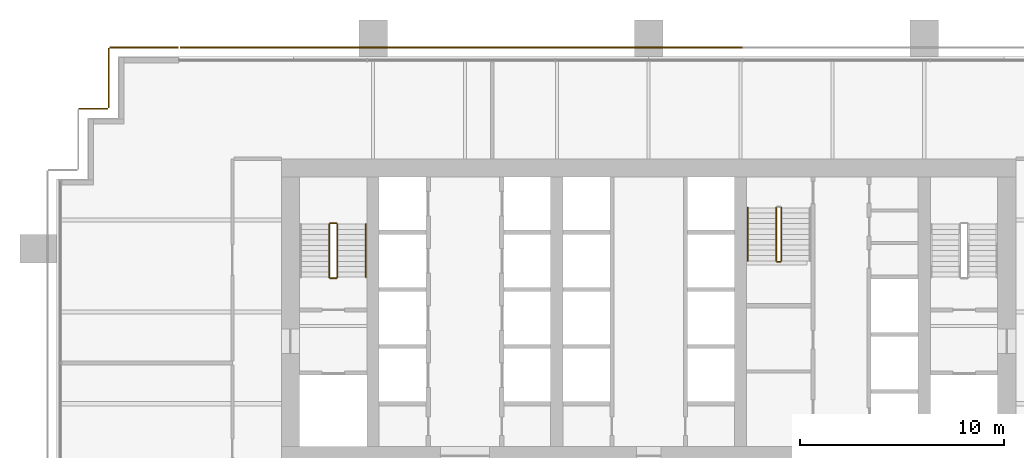
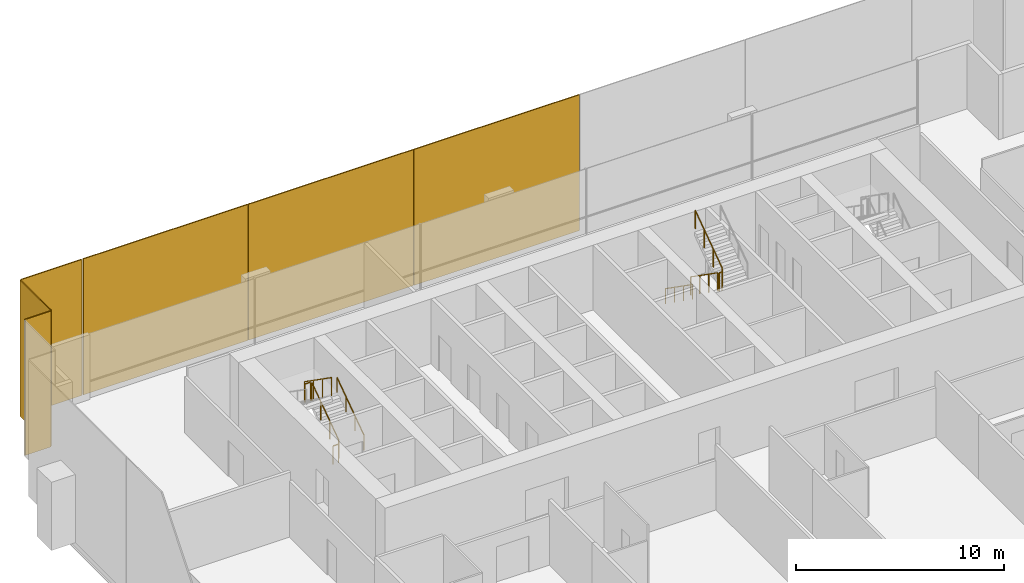
# One storey, part 15 of 16: 9 railings, 6 coverings.
"""IFC4 building model written with IfcOpenShell, lengths in metres."""

from ifc_helpers import new_model, si_unit, direction, frame, origin, origin_2d, place, context, subcontext, project, spatial, rectangle, extrude, material, layer, layer_set, type_object, element, save


model = new_model("IFC4")

# Units and contexts
model_context = context("Model", 3, precision=1e-05, world=origin(), true_north=direction((0.0, 1.0)))
body_context = subcontext(model_context, "Body", "Model", "MODEL_VIEW")
ifc_project = project(units=[si_unit("LENGTHUNIT", "METRE"), si_unit("AREAUNIT", "SQUARE_METRE"), si_unit("VOLUMEUNIT", "CUBIC_METRE"), si_unit("PLANEANGLEUNIT", "RADIAN"), si_unit("MASSUNIT", "GRAM", prefix="KILO")], contexts=[model_context])

# Site, building, storey
site_placement = place(None, origin())
site = spatial("IfcSite", under=ifc_project, at=site_placement, CompositionType="ELEMENT")
building_placement = place(site_placement, origin())
building = spatial("IfcBuilding", under=site, at=building_placement, Name="Rattan Terrace Tower", CompositionType="ELEMENT")
storey_placement = place(building_placement, frame((0.0, 0.0, 150.10009765625)))
storey = spatial("IfcBuildingStorey", under=building, at=storey_placement, Name="L34", CompositionType="ELEMENT", Elevation=150.10009765625)

# Railings
ifc_material_1 = material(Name="Powder-coated steel guard", Category="steel")
railing_type_1 = type_object("IfcRailingType", Name="Core stair guard", PredefinedType="GUARDRAIL", material=ifc_material_1)
railing_1_placement = place(storey_placement, frame((-15.25, 1.699951171875, 0.181640625)))
element("IfcRailing", 1, at=railing_1_placement, inside=storey, type_object=railing_type_1, Name="L34 S1 stair guard 1", PredefinedType="GUARDRAIL", context=body_context, shape_type="SweptSolid", body=[
    extrude(rectangle(XDim=0.048095703125, YDim=0.048095703125, at=origin_2d()), frame((0.0, 0.0, 1.076171875), z_axis=(0.0, 0.819484887739, 0.573100792852), x_axis=(-1.0, 0.0, 0.0)), (0.0, 0.0, 1.0), 3.1728515625),
    extrude(rectangle(XDim=0.0419921875, YDim=0.0419921875, at=origin_2d()), origin(), (0.0, 0.0, 1.0), 1.052001953125),
    extrude(rectangle(XDim=0.0419921875, YDim=0.0419921875, at=origin_2d()), frame((0.0, 0.86669921875, 0.606201171875)), (0.0, 0.0, 1.0), 1.052001953125),
    extrude(rectangle(XDim=0.0419921875, YDim=0.0419921875, at=origin_2d()), frame((0.0, 1.7333984375, 1.212158203125)), (0.0, 0.0, 1.0), 1.052001953125),
    extrude(rectangle(XDim=0.0419921875, YDim=0.0419921875, at=origin_2d()), frame((0.0, 2.60009765625, 1.818359375)), (0.0, 0.0, 1.0), 1.052001953125),
])
railing_2_placement = place(storey_placement, frame((-15.300048828125, 4.35009765625, 2.0)))
element("IfcRailing", 2, at=railing_2_placement, inside=storey, type_object=railing_type_1, Name="L34 S1 stair guard 2", PredefinedType="GUARDRAIL", context=body_context, shape_type="SweptSolid", body=[
    extrude(rectangle(XDim=0.048095703125, YDim=0.048095703125, at=origin_2d()), frame((0.0, 0.0, 1.076171875), z_axis=(-1.0, 0.0, 0.0), x_axis=(0.0, -1.0, 0.0)), (0.0, 0.0, 1.0), 0.300048828125),
    extrude(rectangle(XDim=0.0419921875, YDim=0.0419921875, at=origin_2d()), origin(), (0.0, 0.0, 1.0), 1.052001953125),
    extrude(rectangle(XDim=0.0419921875, YDim=0.0419921875, at=origin_2d()), frame((-0.300048828125, 0.0, 0.0)), (0.0, 0.0, 1.0), 1.052001953125),
])
railing_3_placement = place(storey_placement, frame((-15.64990234375, 4.300048828125, 2.181640625)))
element("IfcRailing", 3, at=railing_3_placement, inside=storey, type_object=railing_type_1, Name="L34 S1 stair guard 3", PredefinedType="GUARDRAIL", context=body_context, shape_type="SweptSolid", body=[
    extrude(rectangle(XDim=0.048095703125, YDim=0.048095703125, at=origin_2d()), frame((0.0, 0.0, 1.076171875), z_axis=(0.0, -0.819484887739, 0.573100792852), x_axis=(1.0, 0.0, 0.0)), (0.0, 0.0, 1.0), 3.1728515625),
    extrude(rectangle(XDim=0.0419921875, YDim=0.0419921875, at=origin_2d()), origin(), (0.0, 0.0, 1.0), 1.052001953125),
    extrude(rectangle(XDim=0.0419921875, YDim=0.0419921875, at=origin_2d()), frame((0.0, -0.86669921875, 0.606201171875)), (0.0, 0.0, 1.0), 1.052001953125),
    extrude(rectangle(XDim=0.0419921875, YDim=0.0419921875, at=origin_2d()), frame((0.0, -1.7333984375, 1.212158203125)), (0.0, 0.0, 1.0), 1.052001953125),
    extrude(rectangle(XDim=0.0419921875, YDim=0.0419921875, at=origin_2d()), frame((0.0, -2.60009765625, 1.818359375)), (0.0, 0.0, 1.0), 1.052001953125),
])
railing_4_placement = place(storey_placement, frame((-15.300048828125, 1.64990234375, 0.0)))
element("IfcRailing", 4, at=railing_4_placement, inside=storey, type_object=railing_type_1, Name="L34 S1 stair guard 4", PredefinedType="GUARDRAIL", context=body_context, shape_type="SweptSolid", body=[
    extrude(rectangle(XDim=0.048095703125, YDim=0.048095703125, at=origin_2d()), frame((0.0, 0.0, 1.076171875), z_axis=(-1.0, 0.0, 0.0), x_axis=(0.0, -1.0, 0.0)), (0.0, 0.0, 1.0), 0.300048828125),
    extrude(rectangle(XDim=0.0419921875, YDim=0.0419921875, at=origin_2d()), origin(), (0.0, 0.0, 1.0), 1.052001953125),
    extrude(rectangle(XDim=0.0419921875, YDim=0.0419921875, at=origin_2d()), frame((-0.300048828125, 0.0, 0.0)), (0.0, 0.0, 1.0), 1.052001953125),
])
railing_5_placement = place(storey_placement, frame((6.25, 5.10009765625, 0.181640625)))
element("IfcRailing", 5, at=railing_5_placement, inside=storey, type_object=railing_type_1, Name="L34 S3 stair guard 1", PredefinedType="GUARDRAIL", context=body_context, shape_type="SweptSolid", body=[
    extrude(rectangle(XDim=0.048095703125, YDim=0.048095703125, at=origin_2d()), frame((0.0, 0.0, 1.076171875), z_axis=(0.0, -0.819484887739, 0.573100792852), x_axis=(1.0, 0.0, 0.0)), (0.0, 0.0, 1.0), 3.1728515625),
    extrude(rectangle(XDim=0.0419921875, YDim=0.0419921875, at=origin_2d()), origin(), (0.0, 0.0, 1.0), 1.052001953125),
    extrude(rectangle(XDim=0.0419921875, YDim=0.0419921875, at=origin_2d()), frame((0.0, -0.86669921875, 0.606201171875)), (0.0, 0.0, 1.0), 1.052001953125),
    extrude(rectangle(XDim=0.0419921875, YDim=0.0419921875, at=origin_2d()), frame((0.0, -1.7333984375, 1.212158203125)), (0.0, 0.0, 1.0), 1.052001953125),
    extrude(rectangle(XDim=0.0419921875, YDim=0.0419921875, at=origin_2d()), frame((0.0, -2.60009765625, 1.818359375)), (0.0, 0.0, 1.0), 1.052001953125),
])
railing_6_placement = place(storey_placement, frame((6.300048828125, 2.449951171875, 2.0)))
element("IfcRailing", 6, at=railing_6_placement, inside=storey, type_object=railing_type_1, Name="L34 S3 stair guard 2", PredefinedType="GUARDRAIL", context=body_context, shape_type="SweptSolid", body=[
    extrude(rectangle(XDim=0.048095703125, YDim=0.048095703125, at=origin_2d()), frame((0.0, 0.0, 1.076171875), z_axis=(1.0, 0.0, 0.0), x_axis=(0.0, 1.0, 0.0)), (0.0, 0.0, 1.0), 0.14990234375),
    extrude(rectangle(XDim=0.0419921875, YDim=0.0419921875, at=origin_2d()), origin(), (0.0, 0.0, 1.0), 1.052001953125),
    extrude(rectangle(XDim=0.0419921875, YDim=0.0419921875, at=origin_2d()), frame((0.14990234375, 0.0, 0.0)), (0.0, 0.0, 1.0), 1.052001953125),
])
railing_7_placement = place(storey_placement, frame((6.5, 2.5, 2.181640625)))
element("IfcRailing", 7, at=railing_7_placement, inside=storey, type_object=railing_type_1, Name="L34 S3 stair guard 3", PredefinedType="GUARDRAIL", context=body_context, shape_type="SweptSolid", body=[
    extrude(rectangle(XDim=0.048095703125, YDim=0.048095703125, at=origin_2d()), frame((0.0, 0.0, 1.076171875), z_axis=(0.0, 0.819484887739, 0.573100792852), x_axis=(-1.0, 0.0, 0.0)), (0.0, 0.0, 1.0), 3.1728515625),
    extrude(rectangle(XDim=0.0419921875, YDim=0.0419921875, at=origin_2d()), origin(), (0.0, 0.0, 1.0), 1.052001953125),
    extrude(rectangle(XDim=0.0419921875, YDim=0.0419921875, at=origin_2d()), frame((0.0, 0.86669921875, 0.606201171875)), (0.0, 0.0, 1.0), 1.052001953125),
    extrude(rectangle(XDim=0.0419921875, YDim=0.0419921875, at=origin_2d()), frame((0.0, 1.7333984375, 1.212158203125)), (0.0, 0.0, 1.0), 1.052001953125),
    extrude(rectangle(XDim=0.0419921875, YDim=0.0419921875, at=origin_2d()), frame((0.0, 2.60009765625, 1.818359375)), (0.0, 0.0, 1.0), 1.052001953125),
])
ifc_material_2 = material(Name="Powder-coated steel handrail", Category="steel")
railing_type_2 = type_object("IfcRailingType", Name="Core stair handrail", PredefinedType="HANDRAIL", material=ifc_material_2)
railing_8_placement = place(storey_placement, frame((-13.85009765625, 1.699951171875, 0.181640625)))
element("IfcRailing", 8, at=railing_8_placement, inside=storey, type_object=railing_type_2, Name="L34 S1 stair handrail 1", PredefinedType="HANDRAIL", context=body_context, shape_type="SweptSolid", body=[
    extrude(rectangle(XDim=0.048095703125, YDim=0.048095703125, at=origin_2d()), frame((0.0, 0.0, 0.8759765625), z_axis=(0.0, 0.819484887739, 0.573100792852), x_axis=(-1.0, 0.0, 0.0)), (0.0, 0.0, 1.0), 3.1728515625),
    extrude(rectangle(XDim=0.0419921875, YDim=0.0419921875, at=origin_2d()), origin(), (0.0, 0.0, 1.0), 0.851806640625),
    extrude(rectangle(XDim=0.0419921875, YDim=0.0419921875, at=origin_2d()), frame((0.0, 0.86669921875, 0.606201171875)), (0.0, 0.0, 1.0), 0.851806640625),
    extrude(rectangle(XDim=0.0419921875, YDim=0.0419921875, at=origin_2d()), frame((0.0, 1.7333984375, 1.212158203125)), (0.0, 0.0, 1.0), 0.851806640625),
    extrude(rectangle(XDim=0.0419921875, YDim=0.0419921875, at=origin_2d()), frame((0.0, 2.60009765625, 1.818359375)), (0.0, 0.0, 1.0), 0.851806640625),
])
railing_9_placement = place(storey_placement, frame((4.85009765625, 5.10009765625, 0.181640625)))
element("IfcRailing", 9, at=railing_9_placement, inside=storey, type_object=railing_type_2, Name="L34 S3 stair handrail 1", PredefinedType="HANDRAIL", context=body_context, shape_type="SweptSolid", body=[
    extrude(rectangle(XDim=0.048095703125, YDim=0.048095703125, at=origin_2d()), frame((0.0, 0.0, 0.8759765625), z_axis=(0.0, -0.819484887739, 0.573100792852), x_axis=(1.0, 0.0, 0.0)), (0.0, 0.0, 1.0), 3.1728515625),
    extrude(rectangle(XDim=0.0419921875, YDim=0.0419921875, at=origin_2d()), origin(), (0.0, 0.0, 1.0), 0.851806640625),
    extrude(rectangle(XDim=0.0419921875, YDim=0.0419921875, at=origin_2d()), frame((0.0, -0.86669921875, 0.606201171875)), (0.0, 0.0, 1.0), 0.851806640625),
    extrude(rectangle(XDim=0.0419921875, YDim=0.0419921875, at=origin_2d()), frame((0.0, -1.7333984375, 1.212158203125)), (0.0, 0.0, 1.0), 0.851806640625),
    extrude(rectangle(XDim=0.0419921875, YDim=0.0419921875, at=origin_2d()), frame((0.0, -2.60009765625, 1.818359375)), (0.0, 0.0, 1.0), 0.851806640625),
])

# Coverings
ifc_material_3 = material(Name="Perforated terracotta", Category="masonry")
ifc_layer = layer(ifc_material_3, 0.06005859375)
ifc_layer_set = layer_set([ifc_layer], Name="Facade Terracotta Screen Panel")
covering_type = type_object("IfcCoveringType", Name="Facade Terracotta Screen Panel", PredefinedType="CLADDING", material=ifc_layer_set)
for number, where, z_axis, x_axis, name in (
    (10, (-0.00244140625, 12.949951171875, -0.190185546875), (0.0, 0.0, 1.0), (-1.0, 0.0, 0.0), "OUTER SKIN panel L34-17"),
    (11, (-9.20361328125, 12.949951171875, -0.190185546875), (0.0, 0.0, 1.0), (-1.0, 0.0, 0.0), "OUTER SKIN panel L34-18"),
):
    element("IfcCovering", number, at=place(storey_placement, frame(where, z_axis=z_axis, x_axis=x_axis)), inside=storey, type_object=covering_type, Name=name, PredefinedType="CLADDING", context=body_context, shape_type="SweptSolid", body=[
        extrude(rectangle(XDim=9.180908203125, YDim=0.06005859375, at=origin_2d()), origin(), (0.0, 0.0, 1.0), 7.97998046875),
    ])
covering_1_placement = place(storey_placement, frame((-18.386962890625, 12.949951171875, -0.190185546875), z_axis=(0.0, 0.0, 1.0), x_axis=(-1.0, 0.0, 0.0)))
element("IfcCovering", 12, at=covering_1_placement, inside=storey, type_object=covering_type, Name="OUTER SKIN panel L34-19", PredefinedType="CLADDING", context=body_context, shape_type="SweptSolid", body=[
    extrude(rectangle(XDim=9.14599609375, YDim=0.06005859375, at=origin_2d()), origin(), (0.0, 0.0, 1.0), 7.97998046875),
])
covering_2_placement = place(storey_placement, frame((-24.72509765625, 12.949951171875, -0.190185546875), z_axis=(0.0, 0.0, 1.0), x_axis=(-1.0, 0.0, 0.0)))
element("IfcCovering", 13, at=covering_2_placement, inside=storey, type_object=covering_type, Name="OUTER SKIN panel L34-20", PredefinedType="CLADDING", context=body_context, shape_type="SweptSolid", body=[
    extrude(rectangle(XDim=3.3701171875, YDim=0.06005859375, at=origin_2d()), origin(), (0.0, 0.0, 1.0), 7.97998046875),
])
covering_3_placement = place(storey_placement, frame((-26.449951171875, 11.449951171875, -0.190185546875), z_axis=(0.0, 0.0, 1.0), x_axis=(0.0, -1.0, 0.0)))
element("IfcCovering", 14, at=covering_3_placement, inside=storey, type_object=covering_type, Name="OUTER SKIN panel L34-21", PredefinedType="CLADDING", context=body_context, shape_type="SweptSolid", body=[
    extrude(rectangle(XDim=2.919921875, YDim=0.06005859375, at=origin_2d()), origin(), (0.0, 0.0, 1.0), 7.97998046875),
])
covering_4_placement = place(storey_placement, frame((-27.199951171875, 9.949951171875, -0.190185546875), z_axis=(0.0, 0.0, 1.0), x_axis=(-1.0, 0.0, 0.0)))
element("IfcCovering", 15, at=covering_4_placement, inside=storey, type_object=covering_type, Name="OUTER SKIN panel L34-22", PredefinedType="CLADDING", context=body_context, shape_type="SweptSolid", body=[
    extrude(rectangle(XDim=1.419921875, YDim=0.06005859375, at=origin_2d()), origin(), (0.0, 0.0, 1.0), 7.97998046875),
])

save(model, "model.ifc")
